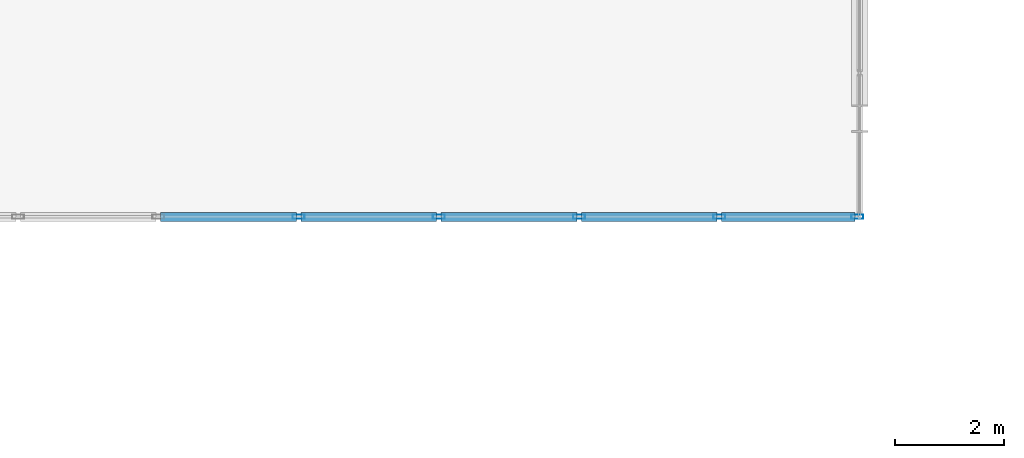
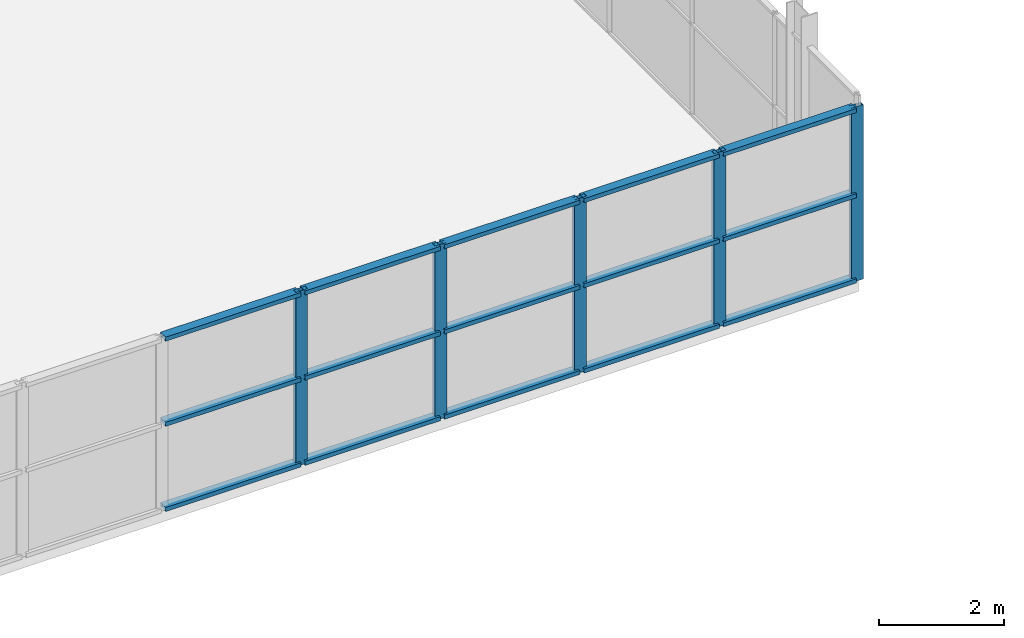
# One storey, part 13 of 59: 20 members, 1 element without a shape of its own.
"""IFC4 building model written with IfcOpenShell, lengths in metres."""

from ifc_helpers import new_model, si_unit, direction, frame, origin, origin_2d, place, context, subcontext, project, spatial, hollow_rectangle, extrude, material, layer, layer_set, material_profile, profile_set, type_object, element, aggregate, save


model = new_model("IFC4")

# Units and contexts
model_context = context("Model", 3, precision=1e-05, world=origin(), true_north=direction((0.0, 1.0)))
body_context = subcontext(model_context, "Body", "Model", "MODEL_VIEW")
ifc_project = project(units=[si_unit("LENGTHUNIT", "METRE"), si_unit("AREAUNIT", "SQUARE_METRE"), si_unit("VOLUMEUNIT", "CUBIC_METRE"), si_unit("PLANEANGLEUNIT", "RADIAN"), si_unit("MASSUNIT", "GRAM", prefix="KILO")], contexts=[model_context])

# Site, building, storey
site_placement = place(None, origin())
site = spatial("IfcSite", under=ifc_project, at=site_placement, CompositionType="ELEMENT")
building_placement = place(site_placement, origin())
building = spatial("IfcBuilding", under=site, at=building_placement, Name="Deido Ridge Mobility Hub", CompositionType="ELEMENT")
storey_placement = place(building_placement, frame((0.0, 0.0, 21.0)))
storey = spatial("IfcBuildingStorey", under=building, at=storey_placement, Name="L05", CompositionType="ELEMENT", Elevation=21.0)

# Curtain wall, members
ifc_material = material(Name="Anodised aluminium EN AW-6063 T6", Category="aluminium")
ifc_layer = layer(ifc_material, 0.2548828125, Name="Anodised aluminium EN AW-6063 T6")
ifc_layer_set = layer_set([ifc_layer], Name="Anodised aluminium EN AW-6063 T6")
curtain_wall_type = type_object("IfcCurtainWallType", Name="CW-UF-7", PredefinedType="USERDEFINED", material=ifc_layer_set)
curtain_wall_placement = place(storey_placement, origin())
curtain_wall = element("IfcCurtainWall", 1, at=curtain_wall_placement, inside=storey, type_object=curtain_wall_type, Name="Unitised curtain wall CW7", ObjectType="UNITISED FACADE", PredefinedType="USERDEFINED")
ifc_material_profile_1 = material_profile(ifc_material, hollow_rectangle(XDim=0.080078125, YDim=0.219970703125, WallThickness=0.00390625, at=origin_2d()), Name="RHS 80x220x4")
ifc_profile_set_1 = profile_set([ifc_material_profile_1], Name="Anodised aluminium EN AW-6063 T6")
member_type_1 = type_object("IfcMemberType", Name="MEM-MUL-80X220", PredefinedType="MULLION", material=ifc_profile_set_1)
member_1_placement = place(storey_placement, frame((88.71435546875, 43.199951171875, 0.0), z_axis=(0.0, 0.0, 1.0), x_axis=(0.0, 1.0, 0.0)))
member_1 = element("IfcMember", 2, at=member_1_placement, type_object=member_type_1, Name="CW7 mullion 4", PredefinedType="MULLION", context=body_context, shape_type="SweptSolid", body=[
    extrude(hollow_rectangle(XDim=0.080078125, YDim=0.219970703125, WallThickness=0.00390625, at=origin_2d()), origin(), (0.0, 0.0, 1.0), 3.39990234375),
])
member_2_placement = place(storey_placement, frame((91.28564453125, 43.199951171875, 0.0), z_axis=(0.0, 0.0, 1.0), x_axis=(0.0, 1.0, 0.0)))
member_2 = element("IfcMember", 3, at=member_2_placement, type_object=member_type_1, Name="CW7 mullion 5", PredefinedType="MULLION", context=body_context, shape_type="SweptSolid", body=[
    extrude(hollow_rectangle(XDim=0.080078125, YDim=0.219970703125, WallThickness=0.00390625, at=origin_2d()), origin(), (0.0, 0.0, 1.0), 3.39990234375),
])
member_3_placement = place(storey_placement, frame((93.857177734375, 43.199951171875, 0.0), z_axis=(0.0, 0.0, 1.0), x_axis=(0.0, 1.0, 0.0)))
member_3 = element("IfcMember", 4, at=member_3_placement, type_object=member_type_1, Name="CW7 mullion 6", PredefinedType="MULLION", context=body_context, shape_type="SweptSolid", body=[
    extrude(hollow_rectangle(XDim=0.080078125, YDim=0.219970703125, WallThickness=0.00390625, at=origin_2d()), origin(), (0.0, 0.0, 1.0), 3.39990234375),
])
member_4_placement = place(storey_placement, frame((96.428466796875, 43.199951171875, 0.0), z_axis=(0.0, 0.0, 1.0), x_axis=(0.0, 1.0, 0.0)))
member_4 = element("IfcMember", 5, at=member_4_placement, type_object=member_type_1, Name="CW7 mullion 7", PredefinedType="MULLION", context=body_context, shape_type="SweptSolid", body=[
    extrude(hollow_rectangle(XDim=0.080078125, YDim=0.219970703125, WallThickness=0.00390625, at=origin_2d()), origin(), (0.0, 0.0, 1.0), 3.39990234375),
])
member_5_placement = place(storey_placement, frame((98.9599609375, 43.199951171875, 0.0), z_axis=(0.0, 0.0, 1.0), x_axis=(0.0, 1.0, 0.0)))
member_5 = element("IfcMember", 6, at=member_5_placement, type_object=member_type_1, Name="CW7 mullion 8", PredefinedType="MULLION", context=body_context, shape_type="SweptSolid", body=[
    extrude(hollow_rectangle(XDim=0.080078125, YDim=0.219970703125, WallThickness=0.00390625, at=origin_2d()), origin(), (0.0, 0.0, 1.0), 3.39990234375),
])
ifc_material_profile_2 = material_profile(ifc_material, hollow_rectangle(XDim=0.1650390625, YDim=0.080078125, WallThickness=0.00390625, at=origin_2d()), Name="RHS 165x80x4")
ifc_profile_set_2 = profile_set([ifc_material_profile_2], Name="Anodised aluminium EN AW-6063 T6")
member_type_2 = type_object("IfcMemberType", Name="MEM-TRN-165X80", PredefinedType="USERDEFINED", material=ifc_profile_set_2)
member_6_placement = place(storey_placement, frame((86.182861328125, 43.199951171875, 0.0400390625), z_axis=(1.0, 0.0, 0.0), x_axis=(0.0, 1.0, 0.0)))
member_6 = element("IfcMember", 7, at=member_6_placement, type_object=member_type_2, Name="CW7 transom 3.1", ObjectType="TRANSOM", PredefinedType="USERDEFINED", context=body_context, shape_type="SweptSolid", body=[
    extrude(hollow_rectangle(XDim=0.1650390625, YDim=0.080078125, WallThickness=0.00390625, at=origin_2d()), origin(), (0.0, 0.0, 1.0), 2.491455078125),
])
member_7_placement = place(storey_placement, frame((86.182861328125, 43.199951171875, 1.699951171875), z_axis=(1.0, 0.0, 0.0), x_axis=(0.0, 1.0, 0.0)))
member_7 = element("IfcMember", 8, at=member_7_placement, type_object=member_type_2, Name="CW7 transom 3.2", ObjectType="TRANSOM", PredefinedType="USERDEFINED", context=body_context, shape_type="SweptSolid", body=[
    extrude(hollow_rectangle(XDim=0.1650390625, YDim=0.080078125, WallThickness=0.00390625, at=origin_2d()), origin(), (0.0, 0.0, 1.0), 2.491455078125),
])
member_8_placement = place(storey_placement, frame((86.182861328125, 43.199951171875, 3.360107421875), z_axis=(1.0, 0.0, 0.0), x_axis=(0.0, 1.0, 0.0)))
member_8 = element("IfcMember", 9, at=member_8_placement, type_object=member_type_2, Name="CW7 transom 3.3", ObjectType="TRANSOM", PredefinedType="USERDEFINED", context=body_context, shape_type="SweptSolid", body=[
    extrude(hollow_rectangle(XDim=0.1650390625, YDim=0.080078125, WallThickness=0.00390625, at=origin_2d()), origin(), (0.0, 0.0, 1.0), 2.491455078125),
])
member_9_placement = place(storey_placement, frame((88.75439453125, 43.199951171875, 0.0400390625), z_axis=(1.0, 0.0, 0.0), x_axis=(0.0, 1.0, 0.0)))
member_9 = element("IfcMember", 10, at=member_9_placement, type_object=member_type_2, Name="CW7 transom 4.1", ObjectType="TRANSOM", PredefinedType="USERDEFINED", context=body_context, shape_type="SweptSolid", body=[
    extrude(hollow_rectangle(XDim=0.1650390625, YDim=0.080078125, WallThickness=0.00390625, at=origin_2d()), origin(), (0.0, 0.0, 1.0), 2.4912109375),
])
member_10_placement = place(storey_placement, frame((88.75439453125, 43.199951171875, 1.699951171875), z_axis=(1.0, 0.0, 0.0), x_axis=(0.0, 1.0, 0.0)))
member_10 = element("IfcMember", 11, at=member_10_placement, type_object=member_type_2, Name="CW7 transom 4.2", ObjectType="TRANSOM", PredefinedType="USERDEFINED", context=body_context, shape_type="SweptSolid", body=[
    extrude(hollow_rectangle(XDim=0.1650390625, YDim=0.080078125, WallThickness=0.00390625, at=origin_2d()), origin(), (0.0, 0.0, 1.0), 2.4912109375),
])
member_11_placement = place(storey_placement, frame((88.75439453125, 43.199951171875, 3.360107421875), z_axis=(1.0, 0.0, 0.0), x_axis=(0.0, 1.0, 0.0)))
member_11 = element("IfcMember", 12, at=member_11_placement, type_object=member_type_2, Name="CW7 transom 4.3", ObjectType="TRANSOM", PredefinedType="USERDEFINED", context=body_context, shape_type="SweptSolid", body=[
    extrude(hollow_rectangle(XDim=0.1650390625, YDim=0.080078125, WallThickness=0.00390625, at=origin_2d()), origin(), (0.0, 0.0, 1.0), 2.4912109375),
])
member_12_placement = place(storey_placement, frame((91.32568359375, 43.199951171875, 0.0400390625), z_axis=(1.0, 0.0, 0.0), x_axis=(0.0, 1.0, 0.0)))
member_12 = element("IfcMember", 13, at=member_12_placement, type_object=member_type_2, Name="CW7 transom 5.1", ObjectType="TRANSOM", PredefinedType="USERDEFINED", context=body_context, shape_type="SweptSolid", body=[
    extrude(hollow_rectangle(XDim=0.1650390625, YDim=0.080078125, WallThickness=0.00390625, at=origin_2d()), origin(), (0.0, 0.0, 1.0), 2.491455078125),
])
member_13_placement = place(storey_placement, frame((91.32568359375, 43.199951171875, 1.699951171875), z_axis=(1.0, 0.0, 0.0), x_axis=(0.0, 1.0, 0.0)))
member_13 = element("IfcMember", 14, at=member_13_placement, type_object=member_type_2, Name="CW7 transom 5.2", ObjectType="TRANSOM", PredefinedType="USERDEFINED", context=body_context, shape_type="SweptSolid", body=[
    extrude(hollow_rectangle(XDim=0.1650390625, YDim=0.080078125, WallThickness=0.00390625, at=origin_2d()), origin(), (0.0, 0.0, 1.0), 2.491455078125),
])
member_14_placement = place(storey_placement, frame((91.32568359375, 43.199951171875, 3.360107421875), z_axis=(1.0, 0.0, 0.0), x_axis=(0.0, 1.0, 0.0)))
member_14 = element("IfcMember", 15, at=member_14_placement, type_object=member_type_2, Name="CW7 transom 5.3", ObjectType="TRANSOM", PredefinedType="USERDEFINED", context=body_context, shape_type="SweptSolid", body=[
    extrude(hollow_rectangle(XDim=0.1650390625, YDim=0.080078125, WallThickness=0.00390625, at=origin_2d()), origin(), (0.0, 0.0, 1.0), 2.491455078125),
])
member_15_placement = place(storey_placement, frame((93.897216796875, 43.199951171875, 0.0400390625), z_axis=(1.0, 0.0, 0.0), x_axis=(0.0, 1.0, 0.0)))
member_15 = element("IfcMember", 16, at=member_15_placement, type_object=member_type_2, Name="CW7 transom 6.1", ObjectType="TRANSOM", PredefinedType="USERDEFINED", context=body_context, shape_type="SweptSolid", body=[
    extrude(hollow_rectangle(XDim=0.1650390625, YDim=0.080078125, WallThickness=0.00390625, at=origin_2d()), origin(), (0.0, 0.0, 1.0), 2.491455078125),
])
member_16_placement = place(storey_placement, frame((93.897216796875, 43.199951171875, 1.699951171875), z_axis=(1.0, 0.0, 0.0), x_axis=(0.0, 1.0, 0.0)))
member_16 = element("IfcMember", 17, at=member_16_placement, type_object=member_type_2, Name="CW7 transom 6.2", ObjectType="TRANSOM", PredefinedType="USERDEFINED", context=body_context, shape_type="SweptSolid", body=[
    extrude(hollow_rectangle(XDim=0.1650390625, YDim=0.080078125, WallThickness=0.00390625, at=origin_2d()), origin(), (0.0, 0.0, 1.0), 2.491455078125),
])
member_17_placement = place(storey_placement, frame((93.897216796875, 43.199951171875, 3.360107421875), z_axis=(1.0, 0.0, 0.0), x_axis=(0.0, 1.0, 0.0)))
member_17 = element("IfcMember", 18, at=member_17_placement, type_object=member_type_2, Name="CW7 transom 6.3", ObjectType="TRANSOM", PredefinedType="USERDEFINED", context=body_context, shape_type="SweptSolid", body=[
    extrude(hollow_rectangle(XDim=0.1650390625, YDim=0.080078125, WallThickness=0.00390625, at=origin_2d()), origin(), (0.0, 0.0, 1.0), 2.491455078125),
])
member_18_placement = place(storey_placement, frame((96.468505859375, 43.199951171875, 0.0400390625), z_axis=(1.0, 0.0, 0.0), x_axis=(0.0, 1.0, 0.0)))
member_18 = element("IfcMember", 19, at=member_18_placement, type_object=member_type_2, Name="CW7 transom 7.1", ObjectType="TRANSOM", PredefinedType="USERDEFINED", context=body_context, shape_type="SweptSolid", body=[
    extrude(hollow_rectangle(XDim=0.1650390625, YDim=0.080078125, WallThickness=0.00390625, at=origin_2d()), origin(), (0.0, 0.0, 1.0), 2.451416015625),
])
member_19_placement = place(storey_placement, frame((96.468505859375, 43.199951171875, 1.699951171875), z_axis=(1.0, 0.0, 0.0), x_axis=(0.0, 1.0, 0.0)))
member_19 = element("IfcMember", 20, at=member_19_placement, type_object=member_type_2, Name="CW7 transom 7.2", ObjectType="TRANSOM", PredefinedType="USERDEFINED", context=body_context, shape_type="SweptSolid", body=[
    extrude(hollow_rectangle(XDim=0.1650390625, YDim=0.080078125, WallThickness=0.00390625, at=origin_2d()), origin(), (0.0, 0.0, 1.0), 2.451416015625),
])
member_20_placement = place(storey_placement, frame((96.468505859375, 43.199951171875, 3.360107421875), z_axis=(1.0, 0.0, 0.0), x_axis=(0.0, 1.0, 0.0)))
member_20 = element("IfcMember", 21, at=member_20_placement, type_object=member_type_2, Name="CW7 transom 7.3", ObjectType="TRANSOM", PredefinedType="USERDEFINED", context=body_context, shape_type="SweptSolid", body=[
    extrude(hollow_rectangle(XDim=0.1650390625, YDim=0.080078125, WallThickness=0.00390625, at=origin_2d()), origin(), (0.0, 0.0, 1.0), 2.451416015625),
])
aggregate(curtain_wall, [member_1, member_2, member_3, member_4, member_5, member_6, member_7, member_8, member_9, member_10, member_11, member_12, member_13, member_14, member_15, member_16, member_17, member_18, member_19, member_20])

save(model, "model.ifc")
